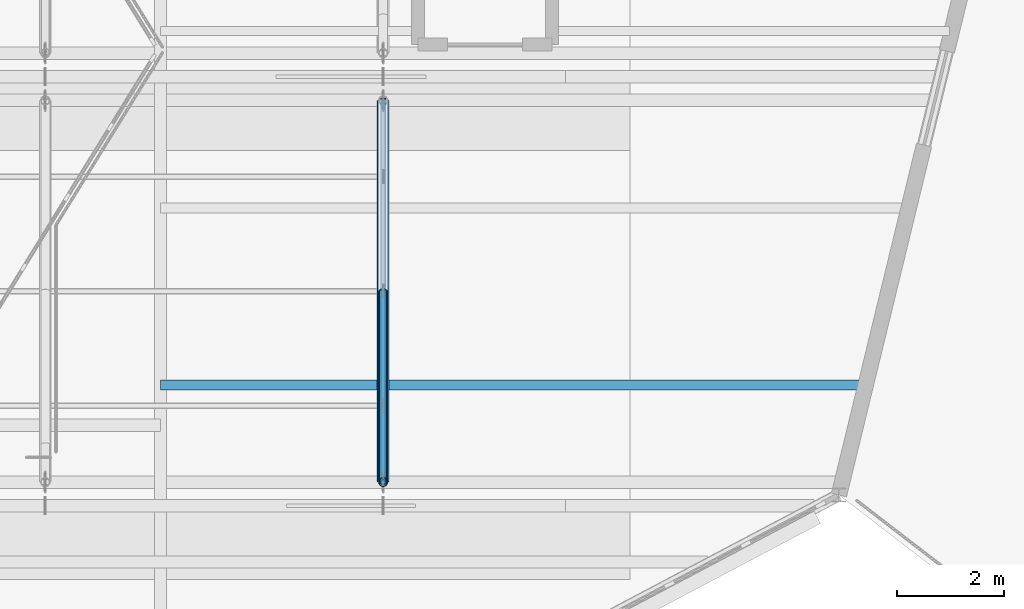
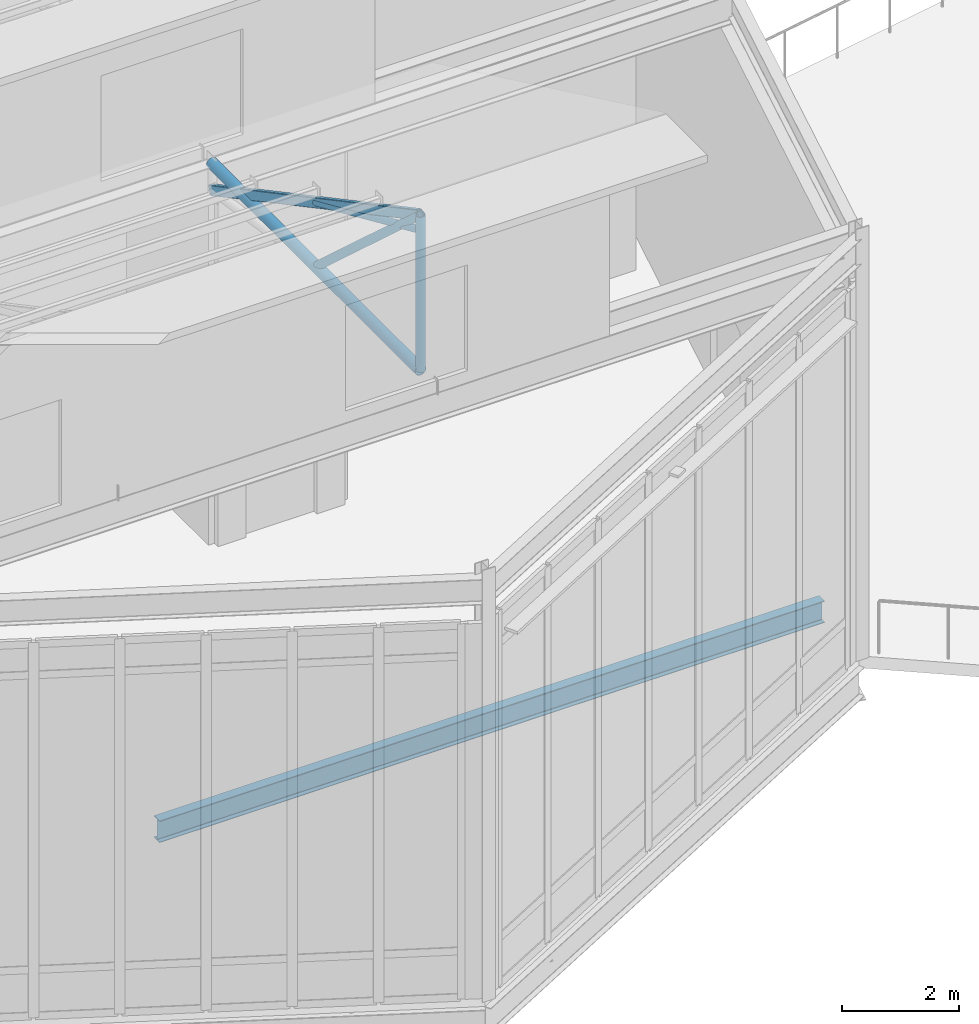
# One storey, part 18 of 66: 5 members, 1 beam.
"""IFC4 building model written with IfcOpenShell, lengths in metres."""

from ifc_helpers import new_model, si_unit, direction, frame, origin, origin_2d, place, context, subcontext, project, spatial, hollow_rectangle, hollow_circle, i_section, extrude, material, material_profile, profile_set, type_object, element, save


model = new_model("IFC4")

# Units and contexts
model_context = context("Model", 3, precision=1e-05, world=origin(), true_north=direction((0.0, 1.0)))
body_context = subcontext(model_context, "Body", "Model", "MODEL_VIEW")
ifc_project = project(units=[si_unit("LENGTHUNIT", "METRE"), si_unit("AREAUNIT", "SQUARE_METRE"), si_unit("VOLUMEUNIT", "CUBIC_METRE"), si_unit("PLANEANGLEUNIT", "RADIAN"), si_unit("MASSUNIT", "GRAM", prefix="KILO")], contexts=[model_context])

# Site, building, storey
site_placement = place(None, origin())
site = spatial("IfcSite", under=ifc_project, at=site_placement, CompositionType="ELEMENT")
building_placement = place(site_placement, origin())
building = spatial("IfcBuilding", under=site, at=building_placement, Name="Tameran Prism Museum", CompositionType="ELEMENT")
storey_placement = place(building_placement, frame((0.0, 0.0, 19.800048828125)))
storey = spatial("IfcBuildingStorey", under=building, at=storey_placement, Name="L04", CompositionType="ELEMENT", Elevation=19.800048828125)

# Beam
ifc_material_1 = material(Name="Steel Grade 300PLUS (300 MPa)", Category="steel")
ifc_material_profile_1 = material_profile(ifc_material_1, i_section(OverallWidth=0.18994140625, OverallDepth=0.4541015625, WebThickness=0.008544921875, FlangeThickness=0.0126953125, FilletRadius=0.011474609375, at=origin_2d()))
ifc_profile_set_1 = profile_set([ifc_material_profile_1])
beam_type = type_object("IfcBeamType", Name="BM-J460B", PredefinedType="JOIST", material=ifc_profile_set_1)
beam_placement = place(storey_placement, frame((85.449951171875, 30.25, -0.427001953125), z_axis=(1.0, 0.0, 0.0), x_axis=(0.0, 1.0, 0.0)))
element("IfcBeam", 1, at=beam_placement, inside=storey, type_object=beam_type, Name="Floor Beam BM-1235", PredefinedType="JOIST", context=body_context, shape_type="SweptSolid", body=[
    extrude(i_section(OverallWidth=0.18994140625, OverallDepth=0.4541015625, WebThickness=0.008544921875, FlangeThickness=0.0126953125, FilletRadius=0.011474609375, at=origin_2d()), origin(), (0.0, 0.0, 1.0), 13.10693359375),
])

# Members
ifc_material_2 = material(Name="Steel Grade C350L0 (350 MPa)", Category="steel")
ifc_material_profile_2 = material_profile(ifc_material_2, hollow_circle(Radius=0.084228515625, WallThickness=0.007080078125, at=origin_2d()))
ifc_profile_set_2 = profile_set([ifc_material_profile_2])
member_type_1 = type_object("IfcMemberType", Name="MM-BR-CHS168", PredefinedType="BRACE", material=ifc_profile_set_2)
member_1_placement = place(storey_placement, frame((89.60009765625, 28.43994140625, 8.785888671875), z_axis=(0.0, 0.0, 1.0), x_axis=(1.0, 0.0, 0.0)))
element("IfcMember", 2, at=member_1_placement, inside=storey, type_object=member_type_1, Name="Sawtooth Brace STM-0185", PredefinedType="BRACE", context=body_context, shape_type="SweptSolid", body=[
    extrude(hollow_circle(Radius=0.084228515625, WallThickness=0.007080078125, at=origin_2d()), origin(), (0.0, 0.0, 1.0), 3.238037109375),
])
member_2_placement = place(storey_placement, frame((89.60009765625, 32.0, 8.785888671875), z_axis=(0.0, -0.739772474497, 0.672857106656), x_axis=(1.0, 0.0, 0.0)))
element("IfcMember", 3, at=member_2_placement, inside=storey, type_object=member_type_1, Name="Sawtooth Brace STM-0187", PredefinedType="BRACE", context=body_context, shape_type="SweptSolid", body=[
    extrude(hollow_circle(Radius=0.084228515625, WallThickness=0.007080078125, at=origin_2d()), origin(), (0.0, 0.0, 1.0), 4.812255859375),
])
ifc_material_3 = material(Name="Steel Grade C350L0 (350 MPa)", Category="steel")
ifc_material_profile_3 = material_profile(ifc_material_3, hollow_circle(Radius=0.109619140625, WallThickness=0.00830078125, at=origin_2d()))
ifc_profile_set_3 = profile_set([ifc_material_profile_3])
member_type_2 = type_object("IfcMemberType", Name="MM-CH-CHS219", PredefinedType="CHORD", material=ifc_profile_set_3)
member_3_placement = place(storey_placement, frame((89.60009765625, 28.43994140625, 8.785888671875), z_axis=(0.0, 1.0, 0.0), x_axis=(-1.0, 0.0, 0.0)))
element("IfcMember", 4, at=member_3_placement, inside=storey, type_object=member_type_2, Name="Sawtooth Chord STM-0183", PredefinedType="CHORD", context=body_context, shape_type="SweptSolid", body=[
    extrude(hollow_circle(Radius=0.109619140625, WallThickness=0.00830078125, at=origin_2d()), origin(), (0.0, 0.0, 1.0), 7.1201171875),
])
ifc_material_4 = material(Name="Steel Grade C350L0 (350 MPa)", Category="steel")
ifc_material_profile_4 = material_profile(ifc_material_4, hollow_rectangle(XDim=0.10009765625, YDim=0.199951171875, WallThickness=0.008056640625, InnerFilletRadius=0.011962890625, OuterFilletRadius=0.02001953125, at=origin_2d()))
ifc_profile_set_4 = profile_set([ifc_material_profile_4])
member_type_3 = type_object("IfcMemberType", Name="MM-RF-RHS200", PredefinedType="RAFTER", material=ifc_profile_set_4)
member_4_placement = place(storey_placement, frame((89.60009765625, 28.43994140625, 12.02392578125), z_axis=(0.0, 0.882216411875, -0.47084413835), x_axis=(-1.0, 0.0, 0.0)))
element("IfcMember", 5, at=member_4_placement, inside=storey, type_object=member_type_3, Name="Sawtooth Rafter STM-0184", PredefinedType="RAFTER", context=body_context, shape_type="SweptSolid", body=[
    extrude(hollow_rectangle(XDim=0.10009765625, YDim=0.199951171875, WallThickness=0.008056640625, InnerFilletRadius=0.011962890625, OuterFilletRadius=0.02001953125, at=origin_2d()), origin(), (0.0, 0.0, 1.0), 8.07080078125),
])
ifc_material_5 = material(Name="Steel Grade C350L0 (350 MPa)", Category="steel")
ifc_material_profile_5 = material_profile(ifc_material_5, hollow_circle(Radius=0.06982421875, WallThickness=0.00634765625, at=origin_2d()))
ifc_profile_set_5 = profile_set([ifc_material_profile_5])
member_type_4 = type_object("IfcMemberType", Name="MM-ST-CHS140", PredefinedType="STRUT", material=ifc_profile_set_5)
member_5_placement = place(storey_placement, frame((89.60009765625, 28.43994140625, 11.703857421875), z_axis=(0.0, 0.914041454577, -0.405620782647), x_axis=(-1.0, 0.0, 0.0)))
element("IfcMember", 6, at=member_5_placement, inside=storey, type_object=member_type_4, Name="Sawtooth Strut STM-0189", PredefinedType="STRUT", context=body_context, shape_type="SweptSolid", body=[
    extrude(hollow_circle(Radius=0.06982421875, WallThickness=0.00634765625, at=origin_2d()), origin(), (0.0, 0.0, 1.0), 3.894775390625),
])

save(model, "model.ifc")
